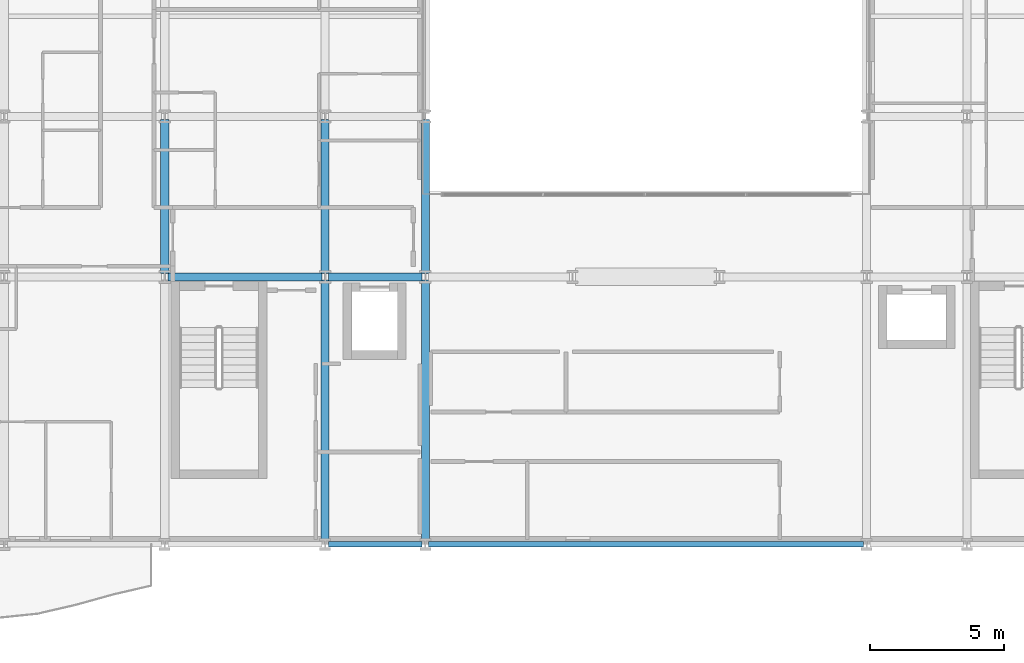
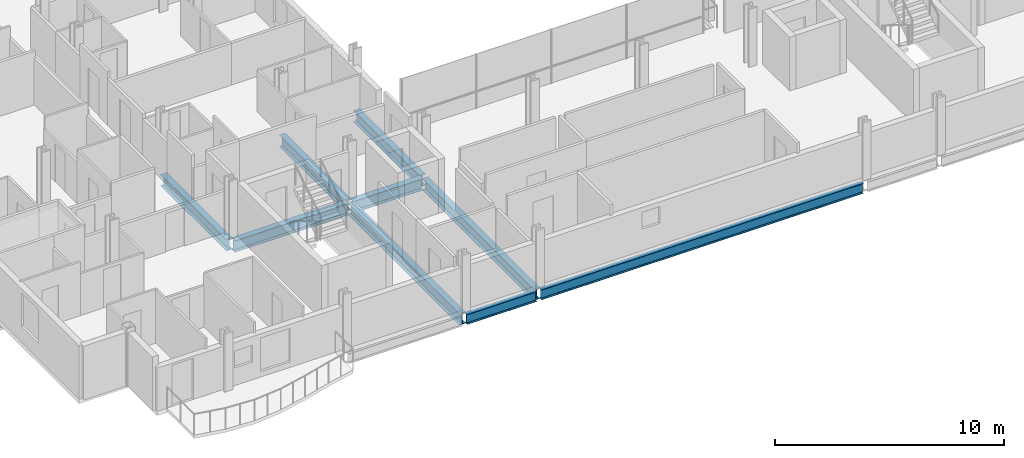
# One storey, part 3 of 41: 9 beams.
"""IFC4 building model written with IfcOpenShell, lengths in metres."""

from ifc_helpers import new_model, si_unit, direction, frame, origin, origin_2d, place, context, subcontext, project, spatial, i_section, extrude, material, material_profile, profile_set, type_object, element, save


model = new_model("IFC4")

# Units and contexts
model_context = context("Model", 3, precision=1e-05, world=origin(), true_north=direction((0.0, 1.0)))
body_context = subcontext(model_context, "Body", "Model", "MODEL_VIEW")
ifc_project = project(units=[si_unit("LENGTHUNIT", "METRE"), si_unit("AREAUNIT", "SQUARE_METRE"), si_unit("VOLUMEUNIT", "CUBIC_METRE"), si_unit("PLANEANGLEUNIT", "RADIAN"), si_unit("MASSUNIT", "GRAM", prefix="KILO")], contexts=[model_context])

# Site, building, storey
site_placement = place(None, origin())
site = spatial("IfcSite", under=ifc_project, at=site_placement, CompositionType="ELEMENT")
building_placement = place(site_placement, origin())
building = spatial("IfcBuilding", under=site, at=building_placement, Name="Brevholm Reach", CompositionType="ELEMENT")
storey_placement = place(building_placement, frame((0.0, 0.0, 43.5)))
storey = spatial("IfcBuildingStorey", under=building, at=storey_placement, Name="L11", CompositionType="ELEMENT", Elevation=43.5)

# Beams
ifc_material_1 = material(Name="Structural Steel S355J2", Category="steel")
ifc_material_profile_1 = material_profile(ifc_material_1, i_section(OverallWidth=0.210693359375, OverallDepth=0.53955078125, WebThickness=0.01171875, FlangeThickness=0.018798828125, FilletRadius=0.0126953125, at=origin_2d()), Name="UKB 533x210x109")
ifc_profile_set_1 = profile_set([ifc_material_profile_1], Name="Structural Steel S355J2")
beam_type_1 = type_object("IfcBeamType", Name="BM-SP539", PredefinedType="SPANDREL", material=ifc_profile_set_1)
beam_1_placement = place(storey_placement, frame((18.1201171875, 0.0, -0.499755859375), z_axis=(1.0, 0.0, 0.0), x_axis=(0.0, 1.0, 0.0)))
element("IfcBeam", 1, at=beam_1_placement, inside=storey, type_object=beam_type_1, Name="L11 SP-01B Framing Beam", PredefinedType="SPANDREL", context=body_context, shape_type="SweptSolid", body=[
    extrude(i_section(OverallWidth=0.210693359375, OverallDepth=0.53955078125, WebThickness=0.01171875, FlangeThickness=0.018798828125, FilletRadius=0.0126953125, at=origin_2d()), origin(), (0.0, 0.0, 1.0), 3.509765625),
])
beam_2_placement = place(storey_placement, frame((21.8701171875, 0.0, -0.499755859375), z_axis=(1.0, 0.0, 0.0), x_axis=(0.0, 1.0, 0.0)))
element("IfcBeam", 2, at=beam_2_placement, inside=storey, type_object=beam_type_1, Name="L11 SP-01B Framing Beam", PredefinedType="SPANDREL", context=body_context, shape_type="SweptSolid", body=[
    extrude(i_section(OverallWidth=0.210693359375, OverallDepth=0.53955078125, WebThickness=0.01171875, FlangeThickness=0.018798828125, FilletRadius=0.0126953125, at=origin_2d()), origin(), (0.0, 0.0, 1.0), 16.259765625),
])
ifc_material_2 = material(Name="Structural Steel S355J2", Category="steel")
ifc_material_profile_2 = material_profile(ifc_material_2, i_section(OverallWidth=0.30712890625, OverallDepth=0.6201171875, WebThickness=0.01416015625, FlangeThickness=0.023681640625, FilletRadius=0.0166015625, at=origin_2d()), Name="UKB 610x305x179")
ifc_profile_set_2 = profile_set([ifc_material_profile_2], Name="Structural Steel S355J2")
beam_type_2 = type_object("IfcBeamType", Name="BM-UKB610H", PredefinedType="USERDEFINED", material=ifc_profile_set_2)
beam_3_placement = place(storey_placement, frame((12.1201171875, 10.0, -0.5400390625), z_axis=(1.0, 0.0, 0.0), x_axis=(0.0, 1.0, 0.0)))
element("IfcBeam", 3, at=beam_3_placement, inside=storey, type_object=beam_type_2, Name="L11 G-06 Framing Beam", ObjectType="GIRDER", PredefinedType="USERDEFINED", context=body_context, shape_type="SweptSolid", body=[
    extrude(i_section(OverallWidth=0.30712890625, OverallDepth=0.6201171875, WebThickness=0.01416015625, FlangeThickness=0.023681640625, FilletRadius=0.0166015625, at=origin_2d()), origin(), (0.0, 0.0, 1.0), 5.759765625),
])
beam_4_placement = place(storey_placement, frame((18.1201171875, 10.0, -0.5400390625), z_axis=(1.0, 0.0, 0.0), x_axis=(0.0, 1.0, 0.0)))
element("IfcBeam", 4, at=beam_4_placement, inside=storey, type_object=beam_type_2, Name="L11 G-06 Framing Beam", ObjectType="GIRDER", PredefinedType="USERDEFINED", context=body_context, shape_type="SweptSolid", body=[
    extrude(i_section(OverallWidth=0.30712890625, OverallDepth=0.6201171875, WebThickness=0.01416015625, FlangeThickness=0.023681640625, FilletRadius=0.0166015625, at=origin_2d()), origin(), (0.0, 0.0, 1.0), 3.509765625),
])
beam_5_placement = place(storey_placement, frame((12.0, 10.1201171875, -0.5400390625), z_axis=(0.0, 1.0, 0.0), x_axis=(-1.0, 0.0, 0.0)))
element("IfcBeam", 5, at=beam_5_placement, inside=storey, type_object=beam_type_2, Name="L11 G-06 Framing Beam", ObjectType="GIRDER", PredefinedType="USERDEFINED", context=body_context, shape_type="SweptSolid", body=[
    extrude(i_section(OverallWidth=0.30712890625, OverallDepth=0.6201171875, WebThickness=0.01416015625, FlangeThickness=0.023681640625, FilletRadius=0.0166015625, at=origin_2d()), origin(), (0.0, 0.0, 1.0), 5.759765625),
])
beam_6_placement = place(storey_placement, frame((18.0, 0.1201171875, -0.5400390625), z_axis=(0.0, 1.0, 0.0), x_axis=(-1.0, 0.0, 0.0)))
element("IfcBeam", 6, at=beam_6_placement, inside=storey, type_object=beam_type_2, Name="L11 G-06 Framing Beam", ObjectType="GIRDER", PredefinedType="USERDEFINED", context=body_context, shape_type="SweptSolid", body=[
    extrude(i_section(OverallWidth=0.30712890625, OverallDepth=0.6201171875, WebThickness=0.01416015625, FlangeThickness=0.023681640625, FilletRadius=0.0166015625, at=origin_2d()), origin(), (0.0, 0.0, 1.0), 9.759765625),
])
beam_7_placement = place(storey_placement, frame((18.0, 10.1201171875, -0.5400390625), z_axis=(0.0, 1.0, 0.0), x_axis=(-1.0, 0.0, 0.0)))
element("IfcBeam", 7, at=beam_7_placement, inside=storey, type_object=beam_type_2, Name="L11 G-06 Framing Beam", ObjectType="GIRDER", PredefinedType="USERDEFINED", context=body_context, shape_type="SweptSolid", body=[
    extrude(i_section(OverallWidth=0.30712890625, OverallDepth=0.6201171875, WebThickness=0.01416015625, FlangeThickness=0.023681640625, FilletRadius=0.0166015625, at=origin_2d()), origin(), (0.0, 0.0, 1.0), 5.759765625),
])
beam_8_placement = place(storey_placement, frame((21.75, 0.1201171875, -0.5400390625), z_axis=(0.0, 1.0, 0.0), x_axis=(-1.0, 0.0, 0.0)))
element("IfcBeam", 8, at=beam_8_placement, inside=storey, type_object=beam_type_2, Name="L11 G-06 Framing Beam", ObjectType="GIRDER", PredefinedType="USERDEFINED", context=body_context, shape_type="SweptSolid", body=[
    extrude(i_section(OverallWidth=0.30712890625, OverallDepth=0.6201171875, WebThickness=0.01416015625, FlangeThickness=0.023681640625, FilletRadius=0.0166015625, at=origin_2d()), origin(), (0.0, 0.0, 1.0), 9.759765625),
])
beam_9_placement = place(storey_placement, frame((21.75, 10.1201171875, -0.5400390625), z_axis=(0.0, 1.0, 0.0), x_axis=(-1.0, 0.0, 0.0)))
element("IfcBeam", 9, at=beam_9_placement, inside=storey, type_object=beam_type_2, Name="L11 G-06 Framing Beam", ObjectType="GIRDER", PredefinedType="USERDEFINED", context=body_context, shape_type="SweptSolid", body=[
    extrude(i_section(OverallWidth=0.30712890625, OverallDepth=0.6201171875, WebThickness=0.01416015625, FlangeThickness=0.023681640625, FilletRadius=0.0166015625, at=origin_2d()), origin(), (0.0, 0.0, 1.0), 5.759765625),
])

save(model, "model.ifc")
